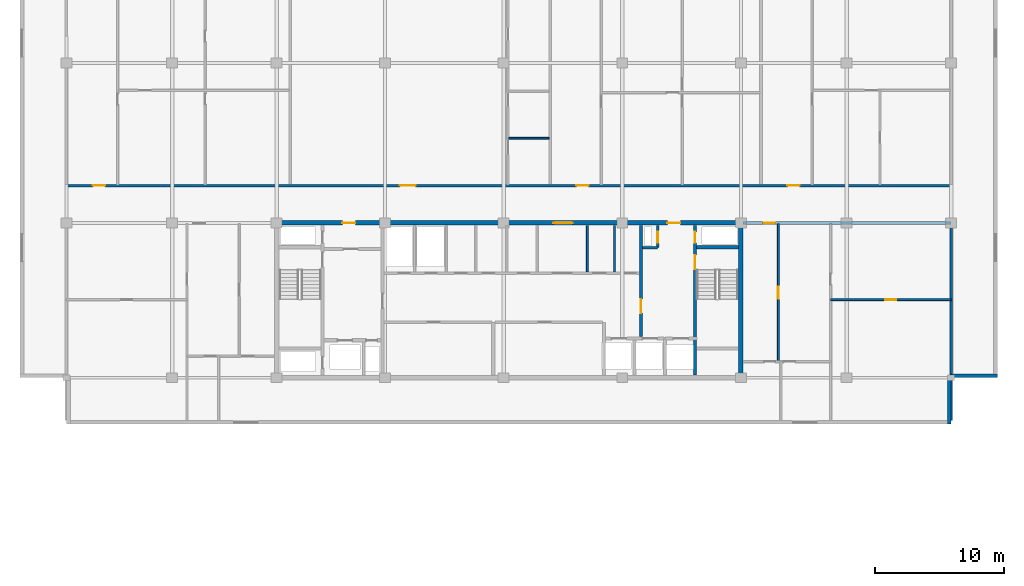
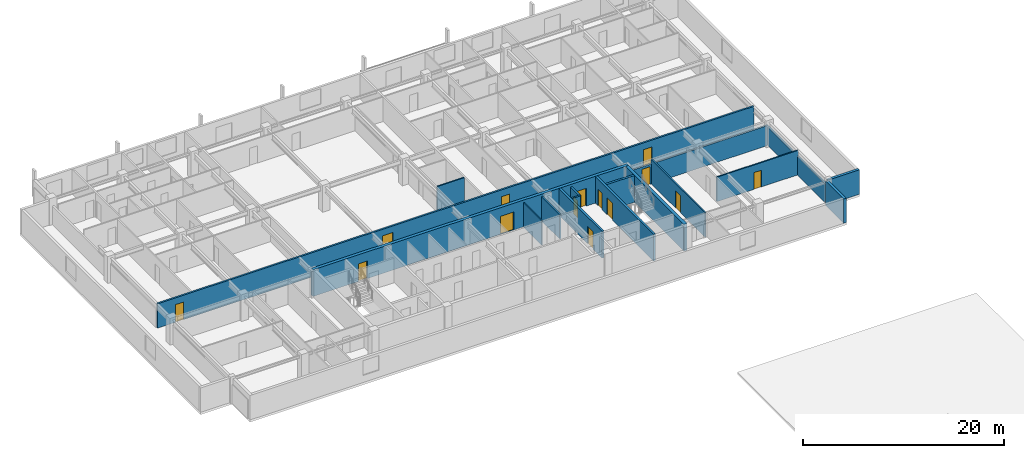
# One storey, part 5 of 11: 17 walls, 14 doors, 14 openings.
"""IFC4 building model written with IfcOpenShell, lengths in metres."""

from ifc_helpers import new_model, si_unit, direction, frame, frame_2d, origin, place, context, subcontext, project, spatial, rectangle, extrude, material, layer, layer_set, type_object, element, fill, save


model = new_model("IFC4")

# Units and contexts
model_context = context("Model", 3, precision=1e-05, world=origin(), true_north=direction((0.0, 1.0)))
body_context = subcontext(model_context, "Body", "Model", "MODEL_VIEW")
ifc_project = project(units=[si_unit("LENGTHUNIT", "METRE"), si_unit("AREAUNIT", "SQUARE_METRE"), si_unit("VOLUMEUNIT", "CUBIC_METRE"), si_unit("PLANEANGLEUNIT", "RADIAN"), si_unit("MASSUNIT", "GRAM", prefix="KILO")], contexts=[model_context])

# Site, building, storey
site_placement = place(None, origin())
site = spatial("IfcSite", under=ifc_project, at=site_placement, CompositionType="ELEMENT")
building_placement = place(site_placement, origin())
building = spatial("IfcBuilding", under=site, at=building_placement, Name="Korimba Cascade Residences", CompositionType="ELEMENT")
storey_placement = place(building_placement, frame((0.0, 0.0, 220.60009765625)))
storey = spatial("IfcBuildingStorey", under=building, at=storey_placement, Name="L64", CompositionType="ELEMENT", Elevation=220.60009765625)

# Walls
ifc_material_1 = material(Name="Precast concrete C40/50", Category="concrete")
ifc_layer_1 = layer(ifc_material_1, 0.300048828125)
ifc_layer_set_1 = layer_set([ifc_layer_1], Name="Precast concrete C40/50")
wall_type_1 = type_object("IfcWallType", Name="EW-STONE-300", PredefinedType="STANDARD", material=ifc_layer_set_1)
wall_1_placement = place(storey_placement, frame((128.25, 51.60009765625, 0.0), z_axis=(0.0, 0.0, 1.0), x_axis=(0.0, 1.0, 0.0)))
element("IfcWall", 1, at=wall_1_placement, inside=storey, type_object=wall_type_1, Name="L64 T1 Perimeter Stone Wall E01", PredefinedType="STANDARD", context=body_context, shape_type="SweptSolid", body=[
    extrude(rectangle(XDim=3.599853515625, YDim=0.300048828125, at=frame_2d((1.7998046875, 0.0))), origin(), (0.0, 0.0, 1.0), 2.969970703125),
])
wall_2_placement = place(storey_placement, frame((128.39990234375, 55.35009765625, 0.0), z_axis=(0.0, 0.0, 1.0), x_axis=(1.0, 0.0, 0.0)))
element("IfcWall", 2, at=wall_2_placement, inside=storey, type_object=wall_type_1, Name="L64 T1 Perimeter Stone Wall E02", PredefinedType="STANDARD", context=body_context, shape_type="SweptSolid", body=[
    extrude(rectangle(XDim=3.60009765625, YDim=0.300048828125, at=frame_2d((1.800048828125, 0.0))), origin(), (0.0, 0.0, 1.0), 2.969970703125),
])
ifc_material_2 = material(Name="Concrete C65/80", Category="concrete")
ifc_layer_2 = layer(ifc_material_2, 0.35009765625)
ifc_layer_set_2 = layer_set([ifc_layer_2], Name="Concrete C65/80")
wall_type_2 = type_object("IfcWallType", Name="WAL-CORE-350", PredefinedType="SHEAR", material=ifc_layer_set_2)
wall_3_placement = place(storey_placement, frame((112.074951171875, 55.375, 0.0), z_axis=(0.0, 0.0, 1.0), x_axis=(0.0, 1.0, 0.0)))
element("IfcWall", 3, at=wall_3_placement, inside=storey, type_object=wall_type_2, Name="L64 Core Shear Wall CW-L64-T1-E", PredefinedType="SHEAR", context=body_context, shape_type="SweptSolid", body=[
    extrude(rectangle(XDim=11.64990234375, YDim=0.35009765625, at=frame_2d((5.824951171875, 0.0))), origin(), (0.0, 0.0, 1.0), 3.25),
])

# Wall, openings, doors
wall_4_placement = place(storey_placement, frame((75.949951171875, 67.199951171875, 0.0), z_axis=(0.0, 0.0, 1.0), x_axis=(1.0, 0.0, 0.0)))
wall_4 = element("IfcWall", 4, at=wall_4_placement, inside=storey, type_object=wall_type_2, Name="L64 Core Shear Wall CW-L64-T1-N", PredefinedType="SHEAR", context=body_context, shape_type="SweptSolid", body=[
    extrude(rectangle(XDim=36.300048828125, YDim=0.35009765625, at=frame_2d((18.14990234375, 0.0))), origin(), (0.0, 0.0, 1.0), 3.25),
])
opening_1_placement = place(wall_4_placement, frame((5.25, 0.0, 0.0)))
opening_1 = element("IfcOpeningElement", 5, at=opening_1_placement, cuts=wall_4, Name="Opening D-FD5", PredefinedType="OPENING", context=body_context, shape_type="SweptSolid", body=[
    extrude(rectangle(XDim=1.0, YDim=2.14990234375, at=frame_2d((0.5, 1.074951171875))), frame((0.0, 0.18505859375, 0.0), z_axis=(0.0, -1.0, 0.0), x_axis=(1.0, 0.0, 0.0)), (0.0, 0.0, 1.0), 0.3701171875),
])
opening_2_placement = place(wall_4_placement, frame((21.60009765625, 0.0, 0.0)))
opening_2 = element("IfcOpeningElement", 6, at=opening_2_placement, cuts=wall_4, Name="Opening D-FD8", PredefinedType="OPENING", context=body_context, shape_type="SweptSolid", body=[
    extrude(rectangle(XDim=1.5, YDim=2.199951171875, at=frame_2d((0.75, 1.10009765625))), frame((0.0, 0.18505859375, 0.0), z_axis=(0.0, -1.0, 0.0), x_axis=(1.0, 0.0, 0.0)), (0.0, 0.0, 1.0), 0.3701171875),
])
opening_3_placement = place(wall_4_placement, frame((30.449951171875, 0.0, 0.0)))
opening_3 = element("IfcOpeningElement", 7, at=opening_3_placement, cuts=wall_4, Name="Opening D-FD5", PredefinedType="OPENING", context=body_context, shape_type="SweptSolid", body=[
    extrude(rectangle(XDim=1.0, YDim=2.14990234375, at=frame_2d((0.5, 1.074951171875))), frame((0.0, 0.18505859375, 0.0), z_axis=(0.0, -1.0, 0.0), x_axis=(1.0, 0.0, 0.0)), (0.0, 0.0, 1.0), 0.3701171875),
])
ifc_material_3 = material(Name="Fire-Rated Acoustic Timber Vestibule Door", Category="wood")
door_type_1 = type_object("IfcDoorType", Name="DR-FD90-1000", OperationType="NOTDEFINED", PredefinedType="DOOR", material=ifc_material_3)
door_1_placement = place(opening_1_placement, origin())
door_1 = element("IfcDoor", 8, at=door_1_placement, inside=storey, type_object=door_type_1, Name="L64 T1 West Core Vestibule Fire Door", OperationType="SINGLE_SWING_RIGHT", OverallHeight=2.14990234375, OverallWidth=1.0, PredefinedType="DOOR", context=body_context, shape_type="SweptSolid", body=[
    extrude(rectangle(XDim=1.0, YDim=2.14990234375, at=frame_2d((0.5, 1.074951171875))), frame((0.0, 0.02490234375, 0.0), z_axis=(0.0, -1.0, 0.0), x_axis=(1.0, 0.0, 0.0)), (0.0, 0.0, 1.0), 0.050048828125),
])
fill(opening_1, door_1)
door_2_placement = place(opening_3_placement, origin())
door_2 = element("IfcDoor", 9, at=door_2_placement, inside=storey, type_object=door_type_1, Name="L64 T1 East Firefighting Vestibule Fire Door", OperationType="SINGLE_SWING_LEFT", OverallHeight=2.14990234375, OverallWidth=1.0, PredefinedType="DOOR", context=body_context, shape_type="SweptSolid", body=[
    extrude(rectangle(XDim=1.0, YDim=2.14990234375, at=frame_2d((0.5, 1.074951171875))), frame((0.0, 0.02490234375, 0.0), z_axis=(0.0, -1.0, 0.0), x_axis=(1.0, 0.0, 0.0)), (0.0, 0.0, 1.0), 0.050048828125),
])
fill(opening_3, door_2)
ifc_material_4 = material(Name="Fire-Rated Glazed Lift Lobby Double Door", Category="glass")
door_type_2 = type_object("IfcDoorType", Name="DR-FD90-1500", OperationType="NOTDEFINED", PredefinedType="DOOR", material=ifc_material_4)
door_3_placement = place(opening_2_placement, origin())
door_3 = element("IfcDoor", 10, at=door_3_placement, inside=storey, type_object=door_type_2, Name="L64 T1 Lift Lobby Fire Door", OperationType="DOUBLE_DOOR_SINGLE_SWING", OverallHeight=2.199951171875, OverallWidth=1.5, PredefinedType="DOOR", context=body_context, shape_type="SweptSolid", body=[
    extrude(rectangle(XDim=1.5, YDim=2.199951171875, at=frame_2d((0.75, 1.10009765625))), frame((0.0, 0.02490234375, 0.0), z_axis=(0.0, -1.0, 0.0), x_axis=(1.0, 0.0, 0.0)), (0.0, 0.0, 1.0), 0.050048828125),
])
fill(opening_2, door_3)

# Wall
ifc_layer_3 = layer(ifc_material_1, 0.199951171875)
ifc_layer_set_3 = layer_set([ifc_layer_3], Name="Precast concrete C40/50")
wall_type_3 = type_object("IfcWallType", Name="WAL-IT-200", PredefinedType="PARTITIONING", material=ifc_layer_set_3)
wall_5_placement = place(storey_placement, frame((128.39990234375, 51.89990234375, 0.0), z_axis=(0.0, 0.0, 1.0), x_axis=(0.0, 1.0, 0.0)))
element("IfcWall", 11, at=wall_5_placement, inside=storey, type_object=wall_type_3, Name="L64 Partition Wall WAL-L64-T1-FE-WR", PredefinedType="PARTITIONING", context=body_context, shape_type="SweptSolid", body=[
    extrude(rectangle(XDim=15.300048828125, YDim=0.199951171875, at=frame_2d((7.64990234375, 0.0))), origin(), (0.0, 0.0, 1.0), 2.277099609375),
])

# Wall, opening, door
wall_6_placement = place(storey_placement, frame((112.25, 67.199951171875, 0.0), z_axis=(0.0, 0.0, 1.0), x_axis=(1.0, 0.0, 0.0)))
wall_6 = element("IfcWall", 12, at=wall_6_placement, inside=storey, type_object=wall_type_3, Name="L64 Partition Wall WAL-L64-T1-FE-N", PredefinedType="PARTITIONING", context=body_context, shape_type="SweptSolid", body=[
    extrude(rectangle(XDim=16.14990234375, YDim=0.199951171875, at=frame_2d((8.074951171875, 0.0))), origin(), (0.0, 0.0, 1.0), 2.43310546875),
])
opening_4_placement = place(wall_6_placement, frame((1.580078125, 0.0, 0.0)))
opening_4 = element("IfcOpeningElement", 13, at=opening_4_placement, cuts=wall_6, Name="Opening D-UN1", PredefinedType="OPENING", context=body_context, shape_type="SweptSolid", body=[
    extrude(rectangle(XDim=0.949951171875, YDim=2.14990234375, at=frame_2d((0.47509765625, 1.074951171875))), frame((0.0, 0.10986328125, 0.0), z_axis=(0.0, -1.0, 0.0), x_axis=(1.0, 0.0, 0.0)), (0.0, 0.0, 1.0), 0.219970703125),
])
ifc_material_5 = material(Name="Fire-Rated Hardwood Apartment Entrance Door", Category="wood")
door_type_3 = type_object("IfcDoorType", Name="DR-FD60-950", OperationType="NOTDEFINED", PredefinedType="DOOR", material=ifc_material_5)
door_4_placement = place(opening_4_placement, origin())
door_4 = element("IfcDoor", 14, at=door_4_placement, inside=storey, type_object=door_type_3, Name="L64-T1-FE Entrance Door", OperationType="SINGLE_SWING_RIGHT", OverallHeight=2.14990234375, OverallWidth=0.949951171875, PredefinedType="DOOR", context=body_context, shape_type="SweptSolid", body=[
    extrude(rectangle(XDim=0.949951171875, YDim=2.14990234375, at=frame_2d((0.47509765625, 1.074951171875))), frame((0.0, 0.02490234375, 0.0), z_axis=(0.0, -1.0, 0.0), x_axis=(1.0, 0.0, 0.0)), (0.0, 0.0, 1.0), 0.050048828125),
])
fill(opening_4, door_4)

# Wall, openings, doors
wall_7_placement = place(storey_placement, frame((59.800048828125, 70.10009765625, 0.0), z_axis=(0.0, 0.0, 1.0), x_axis=(1.0, 0.0, 0.0)))
wall_7 = element("IfcWall", 15, at=wall_7_placement, inside=storey, type_object=wall_type_3, Name="L64 Partition Wall WAL-L64-T1-CORN", PredefinedType="PARTITIONING", context=body_context, shape_type="SweptSolid", body=[
    extrude(rectangle(XDim=68.599853515625, YDim=0.199951171875, at=frame_2d((34.2998046875, 0.0))), origin(), (0.0, 0.0, 1.0), 2.969970703125),
])
opening_5_placement = place(wall_7_placement, frame((2.044921875, 0.0, 0.0)))
opening_5 = element("IfcOpeningElement", 16, at=opening_5_placement, cuts=wall_7, Name="Opening D-UN1", PredefinedType="OPENING", context=body_context, shape_type="SweptSolid", body=[
    extrude(rectangle(XDim=0.949951171875, YDim=2.14990234375, at=frame_2d((0.47509765625, 1.074951171875))), frame((0.0, 0.10986328125, 0.0), z_axis=(0.0, -1.0, 0.0), x_axis=(1.0, 0.0, 0.0)), (0.0, 0.0, 1.0), 0.219970703125),
])
opening_6_placement = place(wall_7_placement, frame((25.85009765625, 0.0, 0.0)))
opening_6 = element("IfcOpeningElement", 17, at=opening_6_placement, cuts=wall_7, Name="Opening D-AM1", PredefinedType="OPENING", context=body_context, shape_type="SweptSolid", body=[
    extrude(rectangle(XDim=1.219970703125, YDim=2.179931640625, at=frame_2d((0.60986328125, 1.08984375))), frame((0.0, 0.10986328125, 0.0), z_axis=(0.0, -1.0, 0.0), x_axis=(1.0, 0.0, 0.0)), (0.0, 0.0, 1.0), 0.219970703125),
])
opening_7_placement = place(wall_7_placement, frame((39.5498046875, 0.0, 0.0)))
opening_7 = element("IfcOpeningElement", 18, at=opening_7_placement, cuts=wall_7, Name="Opening D-UN1", PredefinedType="OPENING", context=body_context, shape_type="SweptSolid", body=[
    extrude(rectangle(XDim=0.949951171875, YDim=2.14990234375, at=frame_2d((0.47509765625, 1.074951171875))), frame((0.0, 0.10986328125, 0.0), z_axis=(0.0, -1.0, 0.0), x_axis=(1.0, 0.0, 0.0)), (0.0, 0.0, 1.0), 0.219970703125),
])
opening_8_placement = place(wall_7_placement, frame((55.901123046875, 0.0, 0.0)))
opening_8 = element("IfcOpeningElement", 19, at=opening_8_placement, cuts=wall_7, Name="Opening D-UN1", PredefinedType="OPENING", context=body_context, shape_type="SweptSolid", body=[
    extrude(rectangle(XDim=0.949951171875, YDim=2.14990234375, at=frame_2d((0.47509765625, 1.074951171875))), frame((0.0, 0.10986328125, 0.0), z_axis=(0.0, -1.0, 0.0), x_axis=(1.0, 0.0, 0.0)), (0.0, 0.0, 1.0), 0.219970703125),
])
ifc_material_6 = material(Name="Fire-Rated Glazed Timber Suite Door", Category="wood")
door_type_4 = type_object("IfcDoorType", Name="DR-FD60-1200", OperationType="NOTDEFINED", PredefinedType="DOOR", material=ifc_material_6)
door_5_placement = place(opening_6_placement, origin())
door_5 = element("IfcDoor", 20, at=door_5_placement, inside=storey, type_object=door_type_4, Name="L64-T1-U02 Business Collaboration Office Door", OperationType="SINGLE_SWING_RIGHT", OverallHeight=2.179931640625, OverallWidth=1.219970703125, PredefinedType="DOOR", context=body_context, shape_type="SweptSolid", body=[
    extrude(rectangle(XDim=1.219970703125, YDim=2.179931640625, at=frame_2d((0.60986328125, 1.08984375))), frame((0.0, 0.02490234375, 0.0), z_axis=(0.0, -1.0, 0.0), x_axis=(1.0, 0.0, 0.0)), (0.0, 0.0, 1.0), 0.050048828125),
])
fill(opening_6, door_5)
door_6_placement = place(opening_5_placement, origin())
door_6 = element("IfcDoor", 21, at=door_6_placement, inside=storey, type_object=door_type_3, Name="Unit L64-T1-U01 Entrance Door", OperationType="SINGLE_SWING_LEFT", OverallHeight=2.14990234375, OverallWidth=0.949951171875, PredefinedType="DOOR", context=body_context, shape_type="SweptSolid", body=[
    extrude(rectangle(XDim=0.949951171875, YDim=2.14990234375, at=frame_2d((0.47509765625, 1.074951171875))), frame((0.0, 0.02490234375, 0.0), z_axis=(0.0, -1.0, 0.0), x_axis=(1.0, 0.0, 0.0)), (0.0, 0.0, 1.0), 0.050048828125),
])
fill(opening_5, door_6)
door_7_placement = place(opening_7_placement, origin())
door_7 = element("IfcDoor", 22, at=door_7_placement, inside=storey, type_object=door_type_3, Name="Unit L64-T1-U03 Entrance Door", OperationType="SINGLE_SWING_LEFT", OverallHeight=2.14990234375, OverallWidth=0.949951171875, PredefinedType="DOOR", context=body_context, shape_type="SweptSolid", body=[
    extrude(rectangle(XDim=0.949951171875, YDim=2.14990234375, at=frame_2d((0.47509765625, 1.074951171875))), frame((0.0, 0.02490234375, 0.0), z_axis=(0.0, -1.0, 0.0), x_axis=(1.0, 0.0, 0.0)), (0.0, 0.0, 1.0), 0.050048828125),
])
fill(opening_7, door_7)
door_8_placement = place(opening_8_placement, origin())
door_8 = element("IfcDoor", 23, at=door_8_placement, inside=storey, type_object=door_type_3, Name="Unit L64-T1-U04 Entrance Door", OperationType="SINGLE_SWING_RIGHT", OverallHeight=2.14990234375, OverallWidth=0.949951171875, PredefinedType="DOOR", context=body_context, shape_type="SweptSolid", body=[
    extrude(rectangle(XDim=0.949951171875, YDim=2.14990234375, at=frame_2d((0.47509765625, 1.074951171875))), frame((0.0, 0.02490234375, 0.0), z_axis=(0.0, -1.0, 0.0), x_axis=(1.0, 0.0, 0.0)), (0.0, 0.0, 1.0), 0.050048828125),
])
fill(opening_8, door_8)

# Walls
ifc_material_7 = material(Name="Insulated Acoustic Stud Partition", Category="gypsum")
ifc_layer_4 = layer(ifc_material_7, 0.14990234375)
ifc_layer_set_4 = layer_set([ifc_layer_4], Name="Insulated Acoustic Stud Partition")
wall_type_4 = type_object("IfcWallType", Name="WAL-PART-150", PredefinedType="PARTITIONING", material=ifc_layer_set_4)
for number, where, z_axis, x_axis, name in (
    (24, (102.300048828125, 63.39990234375, 0.0), (0.0, 0.0, 1.0), (0.0, 1.0, 0.0), "L64 Partition Wall CW-L64-T1-CA1E1"),
    (25, (100.199951171875, 63.39990234375, 0.0), (0.0, 0.0, 1.0), (0.0, 1.0, 0.0), "L64 Partition Wall CW-L64-T1-THE"),
):
    element("IfcWall", number, at=place(storey_placement, frame(where, z_axis=z_axis, x_axis=x_axis)), inside=storey, type_object=wall_type_4, Name=name, PredefinedType="PARTITIONING", context=body_context, shape_type="SweptSolid", body=[
        extrude(rectangle(XDim=3.60009765625, YDim=0.14990234375, at=frame_2d((1.800048828125, 0.0))), origin(), (0.0, 0.0, 1.0), 2.969970703125),
    ])

# Wall, opening, door
wall_8_placement = place(storey_placement, frame((119.050048828125, 61.25, 0.0), z_axis=(0.0, 0.0, 1.0), x_axis=(1.0, 0.0, 0.0)))
wall_8 = element("IfcWall", 26, at=wall_8_placement, inside=storey, type_object=wall_type_4, Name="L64 Partition Wall WAL-L64-T1-FE-STH", PredefinedType="PARTITIONING", context=body_context, shape_type="SweptSolid", body=[
    extrude(rectangle(XDim=9.349853515625, YDim=0.14990234375, at=frame_2d((4.6748046875, 0.0))), origin(), (0.0, 0.0, 1.0), 2.969970703125),
])
opening_9_placement = place(wall_8_placement, frame((4.2548828125, 0.0, 0.0)))
opening_9 = element("IfcOpeningElement", 27, at=opening_9_placement, cuts=wall_8, Name="Opening D-BT1", PredefinedType="OPENING", context=body_context, shape_type="SweptSolid", body=[
    extrude(rectangle(XDim=0.840087890625, YDim=2.0400390625, at=frame_2d((0.419921875, 1.02001953125))), frame((0.0, 0.0849609375, 0.0), z_axis=(0.0, -1.0, 0.0), x_axis=(1.0, 0.0, 0.0)), (0.0, 0.0, 1.0), 0.169921875),
])
ifc_material_8 = material(Name="Moisture-Resistant Bathroom Timber Door", Category="wood")
door_type_5 = type_object("IfcDoorType", Name="DR-INT-850", OperationType="NOTDEFINED", PredefinedType="DOOR", material=ifc_material_8)
door_9_placement = place(opening_9_placement, origin())
door_9 = element("IfcDoor", 28, at=door_9_placement, inside=storey, type_object=door_type_5, Name="L64-T1-FE Dressing Store Door", OperationType="SINGLE_SWING_LEFT", OverallHeight=2.0400390625, OverallWidth=0.840087890625, PredefinedType="DOOR", context=body_context, shape_type="SweptSolid", body=[
    extrude(rectangle(XDim=0.840087890625, YDim=2.0400390625, at=frame_2d((0.419921875, 1.02001953125))), frame((0.0, 0.02490234375, 0.0), z_axis=(0.0, -1.0, 0.0), x_axis=(1.0, 0.0, 0.0)), (0.0, 0.0, 1.0), 0.050048828125),
])
fill(opening_9, door_9)

wall_9_placement = place(storey_placement, frame((115.0, 56.449951171875, 0.0), z_axis=(0.0, 0.0, 1.0), x_axis=(0.0, 1.0, 0.0)))
wall_9 = element("IfcWall", 29, at=wall_9_placement, inside=storey, type_object=wall_type_4, Name="L64 Partition Wall WAL-L64-T1-FE-VN", PredefinedType="PARTITIONING", context=body_context, shape_type="SweptSolid", body=[
    extrude(rectangle(XDim=10.699951171875, YDim=0.14990234375, at=frame_2d((5.35009765625, 0.0))), origin(), (0.0, 0.0, 1.0), 2.969970703125),
])
opening_10_placement = place(wall_9_placement, frame((4.889892578125, 0.0, 0.0)))
opening_10 = element("IfcOpeningElement", 30, at=opening_10_placement, cuts=wall_9, Name="Opening D-IN1", PredefinedType="OPENING", context=body_context, shape_type="SweptSolid", body=[
    extrude(rectangle(XDim=0.919921875, YDim=2.080078125, at=frame_2d((0.4599609375, 1.0400390625))), frame((0.0, 0.0849609375, 0.0), z_axis=(0.0, -1.0, 0.0), x_axis=(1.0, 0.0, 0.0)), (0.0, 0.0, 1.0), 0.169921875),
])
ifc_material_9 = material(Name="Acoustic Timber Living Door", Category="wood")
door_type_6 = type_object("IfcDoorType", Name="DR-INT-920", OperationType="NOTDEFINED", PredefinedType="DOOR", material=ifc_material_9)
door_10_placement = place(opening_10_placement, origin())
door_10 = element("IfcDoor", 31, at=door_10_placement, inside=storey, type_object=door_type_6, Name="L64-T1-FE Living Door", OperationType="SINGLE_SWING_LEFT", OverallHeight=2.080078125, OverallWidth=0.919921875, PredefinedType="DOOR", context=body_context, shape_type="SweptSolid", body=[
    extrude(rectangle(XDim=0.919921875, YDim=2.080078125, at=frame_2d((0.4599609375, 1.0400390625))), frame((0.0, 0.02490234375, 0.0), z_axis=(0.0, -1.0, 0.0), x_axis=(1.0, 0.0, 0.0)), (0.0, 0.0, 1.0), 0.050048828125),
])
fill(opening_10, door_10)

# Walls
wall_10_placement = place(storey_placement, frame((94.0947265625, 73.77001953125, 0.0), z_axis=(0.0, 0.0, 1.0), x_axis=(1.0, 0.0, 0.0)))
element("IfcWall", 32, at=wall_10_placement, inside=storey, type_object=wall_type_4, Name="L64 Partition Wall WAL-L64-T1-U02-WCH", PredefinedType="PARTITIONING", context=body_context, shape_type="SweptSolid", body=[
    extrude(rectangle(XDim=3.130126953125, YDim=0.14990234375, at=frame_2d((1.56494140625, 0.0))), origin(), (0.0, 0.0, 1.0), 2.969970703125),
])
ifc_material_10 = material(Name="Concrete C40/50", Category="concrete")
ifc_layer_5 = layer(ifc_material_10, 0.199951171875)
ifc_layer_set_5 = layer_set([ifc_layer_5], Name="Concrete C40/50")
wall_type_5 = type_object("IfcWallType", Name="WAL-PART-200", PredefinedType="PARTITIONING", material=ifc_layer_set_5)
wall_11_placement = place(storey_placement, frame((104.449951171875, 65.280029296875, 0.0), z_axis=(0.0, 0.0, 1.0), x_axis=(1.0, 0.0, 0.0)))
element("IfcWall", 33, at=wall_11_placement, inside=storey, type_object=wall_type_5, Name="L64 Partition Wall CW-L64-T1-HYDW2S", PredefinedType="PARTITIONING", context=body_context, shape_type="SweptSolid", body=[
    extrude(rectangle(XDim=1.199951171875, YDim=0.199951171875, at=frame_2d((0.60009765625, 0.0))), origin(), (0.0, 0.0, 1.0), 2.969970703125),
])

# Wall, opening, door
wall_12_placement = place(storey_placement, frame((105.64990234375, 65.280029296875, 0.0), z_axis=(0.0, 0.0, 1.0), x_axis=(0.0, 1.0, 0.0)))
wall_12 = element("IfcWall", 34, at=wall_12_placement, inside=storey, type_object=wall_type_5, Name="L64 Partition Wall CW-L64-T1-HYDW2E", PredefinedType="PARTITIONING", context=body_context, shape_type="SweptSolid", body=[
    extrude(rectangle(XDim=1.719970703125, YDim=0.199951171875, at=frame_2d((0.85986328125, 0.0))), origin(), (0.0, 0.0, 1.0), 2.969970703125),
])
opening_11_placement = place(wall_12_placement, frame((0.39990234375, 0.0, 0.0)))
opening_11 = element("IfcOpeningElement", 35, at=opening_11_placement, cuts=wall_12, Name="Opening D-RS1", PredefinedType="OPENING", context=body_context, shape_type="SweptSolid", body=[
    extrude(rectangle(XDim=0.85009765625, YDim=2.050048828125, at=frame_2d((0.425048828125, 1.02490234375))), frame((0.0, 0.10986328125, 0.0), z_axis=(0.0, -1.0, 0.0), x_axis=(1.0, 0.0, 0.0)), (0.0, 0.0, 1.0), 0.219970703125),
])
ifc_material_11 = material(Name="Fire-Rated Steel Riser Access Door", Category="steel")
door_type_7 = type_object("IfcDoorType", Name="DR-FD60-850", OperationType="NOTDEFINED", PredefinedType="DOOR", material=ifc_material_11)
door_11_placement = place(opening_11_placement, origin())
door_11 = element("IfcDoor", 36, at=door_11_placement, inside=storey, type_object=door_type_7, Name="L64 East Hydrant Door", OperationType="SINGLE_SWING_LEFT", OverallHeight=2.050048828125, OverallWidth=0.85009765625, PredefinedType="DOOR", context=body_context, shape_type="SweptSolid", body=[
    extrude(rectangle(XDim=0.85009765625, YDim=2.050048828125, at=frame_2d((0.425048828125, 1.02490234375))), frame((0.0, 0.02490234375, 0.0), z_axis=(0.0, -1.0, 0.0), x_axis=(1.0, 0.0, 0.0)), (0.0, 0.0, 1.0), 0.050048828125),
])
fill(opening_11, door_11)

ifc_material_12 = material(Name="Concrete C50/60", Category="concrete")
ifc_layer_6 = layer(ifc_material_12, 0.25)
ifc_layer_set_6 = layer_set([ifc_layer_6], Name="Concrete C50/60")
wall_type_6 = type_object("IfcWallType", Name="WAL-SHAFT-250", PredefinedType="SHEAR", material=ifc_layer_set_6)
wall_13_placement = place(storey_placement, frame((104.35009765625, 58.39990234375, 0.0), z_axis=(0.0, 0.0, 1.0), x_axis=(0.0, 1.0, 0.0)))
wall_13 = element("IfcWall", 37, at=wall_13_placement, inside=storey, type_object=wall_type_6, Name="L64 Core Shear Wall CW-L64-T1-LLEV", PredefinedType="SHEAR", context=body_context, shape_type="SweptSolid", body=[
    extrude(rectangle(XDim=8.60009765625, YDim=0.25, at=frame_2d((4.300048828125, 0.0))), origin(), (0.0, 0.0, 1.0), 3.25),
])
opening_12_placement = place(wall_13_placement, frame((1.800048828125, 0.0, 0.0)))
opening_12 = element("IfcOpeningElement", 38, at=opening_12_placement, cuts=wall_13, Name="Opening D-FD1", PredefinedType="OPENING", context=body_context, shape_type="SweptSolid", body=[
    extrude(rectangle(XDim=1.10009765625, YDim=2.10009765625, at=frame_2d((0.550048828125, 1.050048828125))), frame((0.0, 0.135009765625, 0.0), z_axis=(0.0, -1.0, 0.0), x_axis=(1.0, 0.0, 0.0)), (0.0, 0.0, 1.0), 0.27001953125),
])
ifc_material_13 = material(Name="Fire-Rated Steel Core Door", Category="steel")
door_type_8 = type_object("IfcDoorType", Name="DR-FD120-1100", OperationType="NOTDEFINED", PredefinedType="DOOR", material=ifc_material_13)
door_12_placement = place(opening_12_placement, origin())
door_12 = element("IfcDoor", 39, at=door_12_placement, inside=storey, type_object=door_type_8, Name="L64 Lift Lobby to East Firefighting Lobby Door", OperationType="SINGLE_SWING_RIGHT", OverallHeight=2.10009765625, OverallWidth=1.10009765625, PredefinedType="DOOR", context=body_context, shape_type="SweptSolid", body=[
    extrude(rectangle(XDim=1.10009765625, YDim=2.10009765625, at=frame_2d((0.550048828125, 1.050048828125))), frame((0.0, 0.02490234375, 0.0), z_axis=(0.0, -1.0, 0.0), x_axis=(1.0, 0.0, 0.0)), (0.0, 0.0, 1.0), 0.050048828125),
])
fill(opening_12, door_12)

# Wall, openings, doors
wall_14_placement = place(storey_placement, frame((108.534912109375, 55.39990234375, 0.0), z_axis=(0.0, 0.0, 1.0), x_axis=(0.0, 1.0, 0.0)))
wall_14 = element("IfcWall", 40, at=wall_14_placement, inside=storey, type_object=wall_type_6, Name="L64 Core Shear Wall CW-L64-T1-STW2W", PredefinedType="SHEAR", context=body_context, shape_type="SweptSolid", body=[
    extrude(rectangle(XDim=11.60009765625, YDim=0.25, at=frame_2d((5.800048828125, 0.0))), origin(), (0.0, 0.0, 1.0), 3.25),
])
opening_13_placement = place(wall_14_placement, frame((8.199951171875, 0.0, 0.0)))
opening_13 = element("IfcOpeningElement", 41, at=opening_13_placement, cuts=wall_14, Name="Opening D-FD1", PredefinedType="OPENING", context=body_context, shape_type="SweptSolid", body=[
    extrude(rectangle(XDim=1.10009765625, YDim=2.10009765625, at=frame_2d((0.550048828125, 1.050048828125))), frame((0.0, 0.135009765625, 0.0), z_axis=(0.0, -1.0, 0.0), x_axis=(1.0, 0.0, 0.0)), (0.0, 0.0, 1.0), 0.27001953125),
])
opening_14_placement = place(wall_14_placement, frame((10.25, 0.0, 0.0)))
opening_14 = element("IfcOpeningElement", 42, at=opening_14_placement, cuts=wall_14, Name="Opening D-RS1", PredefinedType="OPENING", context=body_context, shape_type="SweptSolid", body=[
    extrude(rectangle(XDim=0.85009765625, YDim=2.050048828125, at=frame_2d((0.425048828125, 1.02490234375))), frame((0.0, 0.135009765625, 0.0), z_axis=(0.0, -1.0, 0.0), x_axis=(1.0, 0.0, 0.0)), (0.0, 0.0, 1.0), 0.27001953125),
])
door_13_placement = place(opening_13_placement, origin())
door_13 = element("IfcDoor", 43, at=door_13_placement, inside=storey, type_object=door_type_8, Name="L64 Fire Stair ST-W2 Door", OperationType="SINGLE_SWING_LEFT", OverallHeight=2.10009765625, OverallWidth=1.10009765625, PredefinedType="DOOR", context=body_context, shape_type="SweptSolid", body=[
    extrude(rectangle(XDim=1.10009765625, YDim=2.10009765625, at=frame_2d((0.550048828125, 1.050048828125))), frame((0.0, 0.02490234375, 0.0), z_axis=(0.0, -1.0, 0.0), x_axis=(1.0, 0.0, 0.0)), (0.0, 0.0, 1.0), 0.050048828125),
])
fill(opening_13, door_13)
door_14_placement = place(opening_14_placement, origin())
door_14 = element("IfcDoor", 44, at=door_14_placement, inside=storey, type_object=door_type_7, Name="L64 East Riser Door", OperationType="SINGLE_SWING_RIGHT", OverallHeight=2.050048828125, OverallWidth=0.85009765625, PredefinedType="DOOR", context=body_context, shape_type="SweptSolid", body=[
    extrude(rectangle(XDim=0.85009765625, YDim=2.050048828125, at=frame_2d((0.425048828125, 1.02490234375))), frame((0.0, 0.02490234375, 0.0), z_axis=(0.0, -1.0, 0.0), x_axis=(1.0, 0.0, 0.0)), (0.0, 0.0, 1.0), 0.050048828125),
])
fill(opening_14, door_14)

# Wall
wall_15_placement = place(storey_placement, frame((108.659912109375, 65.324951171875, 0.0), z_axis=(0.0, 0.0, 1.0), x_axis=(1.0, 0.0, 0.0)))
element("IfcWall", 45, at=wall_15_placement, inside=storey, type_object=wall_type_6, Name="L64 Core Shear Wall CW-L64-T1-STW2N", PredefinedType="SHEAR", context=body_context, shape_type="SweptSolid", body=[
    extrude(rectangle(XDim=3.239990234375, YDim=0.25, at=frame_2d((1.6201171875, 0.0))), origin(), (0.0, 0.0, 1.0), 3.25),
])

save(model, "model.ifc")
